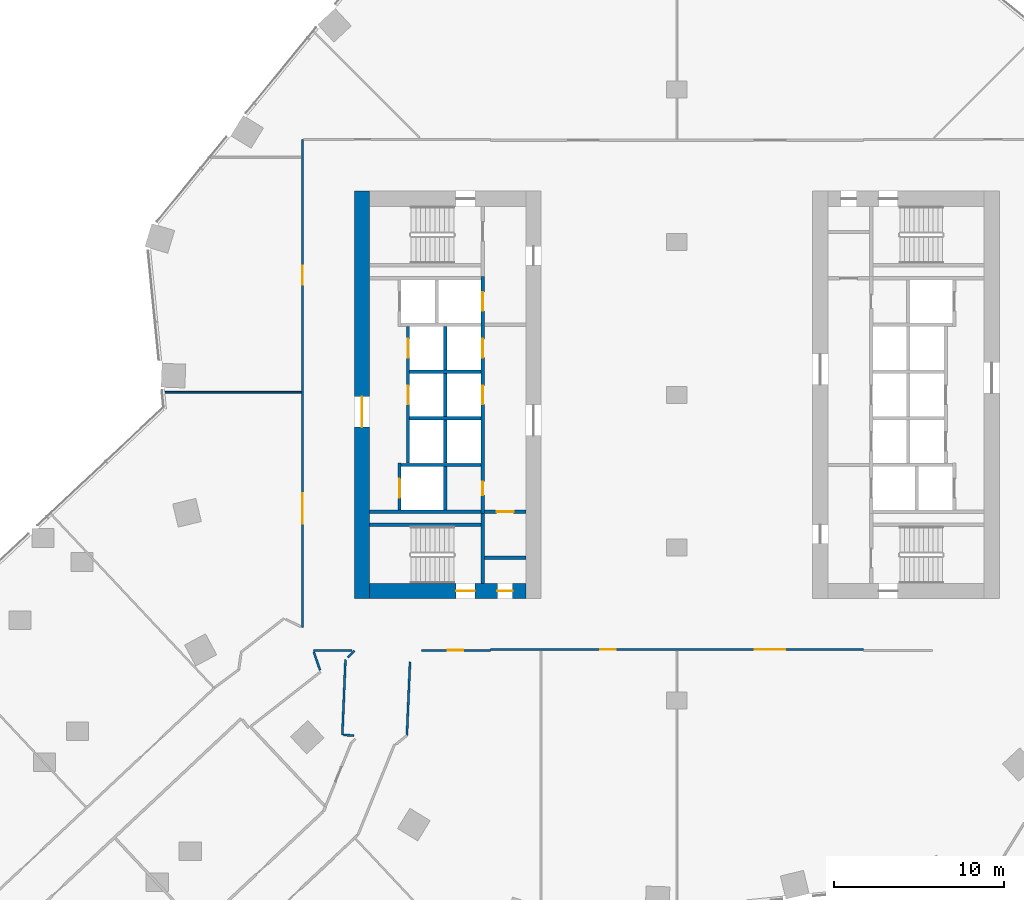
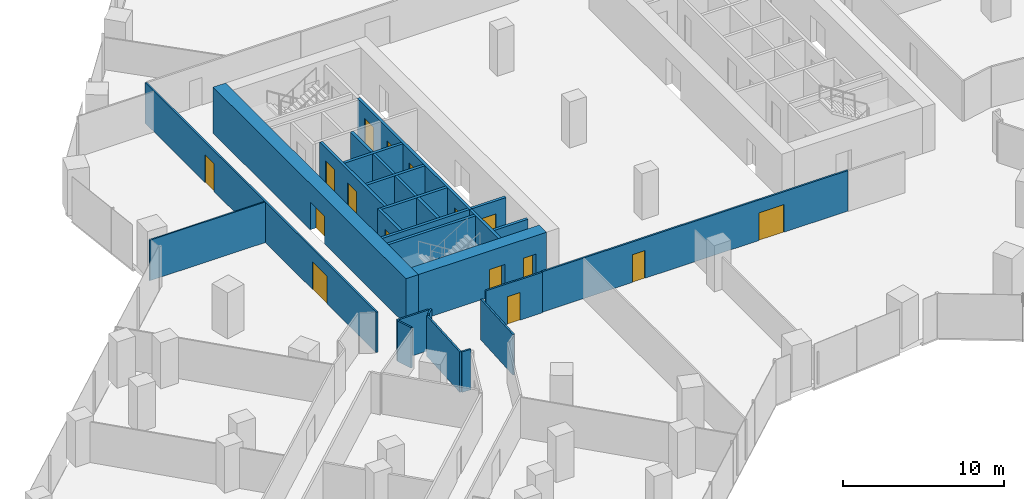
# One storey, part 28 of 33: 27 walls, 16 doors, 16 openings.
"""IFC4 building model written with IfcOpenShell, lengths in metres."""

from ifc_helpers import new_model, si_unit, direction, frame, frame_2d, origin, place, context, subcontext, project, spatial, rectangle, extrude, material, layer, layer_set, type_object, element, fill, save


model = new_model("IFC4")

# Units and contexts
model_context = context("Model", 3, precision=1e-05, world=origin(), true_north=direction((0.0, 1.0)))
body_context = subcontext(model_context, "Body", "Model", "MODEL_VIEW")
ifc_project = project(units=[si_unit("LENGTHUNIT", "METRE"), si_unit("AREAUNIT", "SQUARE_METRE"), si_unit("VOLUMEUNIT", "CUBIC_METRE"), si_unit("PLANEANGLEUNIT", "RADIAN"), si_unit("MASSUNIT", "GRAM", prefix="KILO")], contexts=[model_context])

# Site, building, storey
site_placement = place(None, origin())
site = spatial("IfcSite", under=ifc_project, at=site_placement, CompositionType="ELEMENT")
building_placement = place(site_placement, origin())
building = spatial("IfcBuilding", under=site, at=building_placement, Name="Orlundy Tower", CompositionType="ELEMENT")
storey_placement = place(building_placement, frame((0.0, 0.0, 51.300048828125)))
storey = spatial("IfcBuildingStorey", under=building, at=storey_placement, Name="L11", CompositionType="ELEMENT", Elevation=51.300048828125)

# Wall, openings, doors
ifc_material_1 = material(Name="Concrete C80/95", Category="concrete")
ifc_layer_1 = layer(ifc_material_1, 0.89990234375)
ifc_layer_set_1 = layer_set([ifc_layer_1], Name="CORE WALL 900 C80/95")
wall_type_1 = type_object("IfcWallType", Name="CORE WALL 900 C80/95", PredefinedType="SHEAR", material=ifc_layer_set_1)
wall_1_placement = place(storey_placement, frame((-18.10009765625, -11.550048828125, 0.0), z_axis=(0.0, 0.0, 1.0), x_axis=(1.0, 0.0, 0.0)))
wall_1 = element("IfcWall", 1, at=wall_1_placement, inside=storey, type_object=wall_type_1, Name="Core wall W-S L11", PredefinedType="SHEAR", context=body_context, shape_type="SweptSolid", body=[
    extrude(rectangle(XDim=9.2001953125, YDim=0.89990234375, at=frame_2d((4.60009765625, 0.0))), origin(), (0.0, 0.0, 1.0), 3.5),
])
opening_1_placement = place(wall_1_placement, frame((5.10009765625, 0.0, 0.0)))
opening_1 = element("IfcOpeningElement", 2, at=opening_1_placement, cuts=wall_1, Name="Opening 10013", PredefinedType="OPENING", context=body_context, shape_type="SweptSolid", body=[
    extrude(rectangle(XDim=1.10009765625, YDim=2.10009765625, at=frame_2d((0.550048828125, 1.050048828125))), frame((0.0, 0.4599609375, 0.0), z_axis=(0.0, -1.0, 0.0), x_axis=(1.0, 0.0, 0.0)), (0.0, 0.0, 1.0), 0.919921875),
])
opening_2_placement = place(wall_1_placement, frame((7.530029296875, 0.0, 0.0)))
opening_2 = element("IfcOpeningElement", 3, at=opening_2_placement, cuts=wall_1, Name="Opening 10015", PredefinedType="OPENING", context=body_context, shape_type="SweptSolid", body=[
    extrude(rectangle(XDim=0.89990234375, YDim=2.10009765625, at=frame_2d((0.449951171875, 1.050048828125))), frame((0.0, 0.4599609375, 0.0), z_axis=(0.0, -1.0, 0.0), x_axis=(1.0, 0.0, 0.0)), (0.0, 0.0, 1.0), 0.919921875),
])
ifc_material_2 = material(Name="Timber door set", Category="wood")
door_type_1 = type_object("IfcDoorType", Name="Room Door 900x2100", OperationType="SINGLE_SWING_LEFT", PredefinedType="DOOR", material=ifc_material_2)
door_1_placement = place(opening_2_placement, origin())
door_1 = element("IfcDoor", 4, at=door_1_placement, inside=storey, type_object=door_type_1, Name="Store door 10015", OperationType="SINGLE_SWING_RIGHT", OverallHeight=2.10009765625, OverallWidth=0.89990234375, PredefinedType="DOOR", context=body_context, shape_type="SweptSolid", body=[
    extrude(rectangle(XDim=0.89990234375, YDim=2.10009765625, at=frame_2d((0.449951171875, 1.050048828125))), frame((0.0, 0.02490234375, 0.0), z_axis=(0.0, -1.0, 0.0), x_axis=(1.0, 0.0, 0.0)), (0.0, 0.0, 1.0), 0.050048828125),
])
fill(opening_2, door_1)
ifc_material_3 = material(Name="Steel door set", Category="steel")
door_type_2 = type_object("IfcDoorType", Name="Stair Door 1100x2100", OperationType="SINGLE_SWING_LEFT", PredefinedType="DOOR", material=ifc_material_3)
door_2_placement = place(opening_1_placement, origin())
door_2 = element("IfcDoor", 5, at=door_2_placement, inside=storey, type_object=door_type_2, Name="Stair door 10013", OperationType="SINGLE_SWING_RIGHT", OverallHeight=2.10009765625, OverallWidth=1.10009765625, PredefinedType="DOOR", context=body_context, shape_type="SweptSolid", body=[
    extrude(rectangle(XDim=1.10009765625, YDim=2.10009765625, at=frame_2d((0.550048828125, 1.050048828125))), frame((0.0, 0.02490234375, 0.0), z_axis=(0.0, -1.0, 0.0), x_axis=(1.0, 0.0, 0.0)), (0.0, 0.0, 1.0), 0.050048828125),
])
fill(opening_1, door_2)

# Wall, opening, door
wall_2_placement = place(storey_placement, frame((-18.550048828125, -12.0, 0.0), z_axis=(0.0, 0.0, 1.0), x_axis=(0.0, 1.0, 0.0)))
wall_2 = element("IfcWall", 6, at=wall_2_placement, inside=storey, type_object=wall_type_1, Name="Core wall W-W L11", PredefinedType="SHEAR", context=body_context, shape_type="SweptSolid", body=[
    extrude(rectangle(XDim=24.0, YDim=0.89990234375, at=frame_2d((12.0, 0.0))), origin(), (0.0, 0.0, 1.0), 3.5),
])
opening_3_placement = place(wall_2_placement, frame((10.10009765625, 0.0, 0.0)))
opening_3 = element("IfcOpeningElement", 7, at=opening_3_placement, cuts=wall_2, Name="Opening 10010", PredefinedType="OPENING", context=body_context, shape_type="SweptSolid", body=[
    extrude(rectangle(XDim=1.800048828125, YDim=2.10009765625, at=frame_2d((0.89990234375, 1.050048828125))), frame((0.0, 0.4599609375, 0.0), z_axis=(0.0, -1.0, 0.0), x_axis=(1.0, 0.0, 0.0)), (0.0, 0.0, 1.0), 0.919921875),
])
ifc_material_4 = material(Name="Timber door set", Category="wood")
door_type_3 = type_object("IfcDoorType", Name="Lobby Door 1800x2100", OperationType="DOUBLE_DOOR_DOUBLE_SWING", PredefinedType="DOOR", material=ifc_material_4)
door_3_placement = place(opening_3_placement, origin())
door_3 = element("IfcDoor", 8, at=door_3_placement, inside=storey, type_object=door_type_3, Name="Lift lobby door 10010", OperationType="SINGLE_SWING_LEFT", OverallHeight=2.10009765625, OverallWidth=1.800048828125, PredefinedType="DOOR", context=body_context, shape_type="SweptSolid", body=[
    extrude(rectangle(XDim=1.800048828125, YDim=2.10009765625, at=frame_2d((0.89990234375, 1.050048828125))), frame((0.0, 0.02490234375, 0.0), z_axis=(0.0, -1.0, 0.0), x_axis=(1.0, 0.0, 0.0)), (0.0, 0.0, 1.0), 0.050048828125),
])
fill(opening_3, door_3)

# Walls
ifc_material_5 = material(Name="Gypsum board partition")
ifc_layer_2 = layer(ifc_material_5, 0.10009765625)
ifc_layer_set_2 = layer_set([ifc_layer_2], Name="Floor partition 100")
wall_type_2 = type_object("IfcWallType", Name="Floor partition 100", PredefinedType="PARTITIONING", material=ifc_layer_set_2)
wall_3_placement = place(storey_placement, frame((-30.4140625, 0.152099609375, 0.0), z_axis=(0.0, 0.0, 1.0), x_axis=(1.0, 0.0, 0.0)))
element("IfcWall", 9, at=wall_3_placement, inside=storey, type_object=wall_type_2, Name="wall-int-L11-035", PredefinedType="PARTITIONING", context=body_context, shape_type="SweptSolid", body=[
    extrude(rectangle(XDim=8.301025390625, YDim=0.10009765625, at=frame_2d((4.150390625, 0.0))), origin(), (0.0, 0.0, 1.0), 3.079833984375),
])
ifc_material_6 = material(Name="Gypsum board partition, double layer")
ifc_layer_3 = layer(ifc_material_6, 0.125)
ifc_layer_set_3 = layer_set([ifc_layer_3], Name="Floor partition 125")
wall_type_3 = type_object("IfcWallType", Name="Floor partition 125", PredefinedType="PARTITIONING", material=ifc_layer_set_3)
wall_4_placement = place(storey_placement, frame((-21.387939453125, -15.14306640625, 0.0), z_axis=(0.0, 0.0, 1.0), x_axis=(0.324857441557, -0.945762994976, 0.0)))
element("IfcWall", 10, at=wall_4_placement, inside=storey, type_object=wall_type_3, Name="wall-int-L11-001", PredefinedType="PARTITIONING", context=body_context, shape_type="SweptSolid", body=[
    extrude(rectangle(XDim=1.135498046875, YDim=0.125, at=frame_2d((0.56787109375, 0.0))), origin(), (0.0, 0.0, 1.0), 3.079833984375),
])
wall_5_placement = place(storey_placement, frame((-19.64404296875, -20.034912109375, 0.0), z_axis=(0.0, 0.0, 1.0), x_axis=(0.999093412753, -0.04257173467, 0.0)))
element("IfcWall", 11, at=wall_5_placement, inside=storey, type_object=wall_type_3, Name="wall-int-L11-029", PredefinedType="PARTITIONING", context=body_context, shape_type="SweptSolid", body=[
    extrude(rectangle(XDim=0.636474609375, YDim=0.125, at=frame_2d((0.318359375, 0.0))), origin(), (0.0, 0.0, 1.0), 3.079833984375),
])
wall_6_placement = place(storey_placement, frame((-21.41796875, -15.051025390625, 0.0), z_axis=(0.0, 0.0, 1.0), x_axis=(1.0, 0.0, 0.0)))
element("IfcWall", 12, at=wall_6_placement, inside=storey, type_object=wall_type_3, Name="wall-int-L11-030", PredefinedType="PARTITIONING", context=body_context, shape_type="SweptSolid", body=[
    extrude(rectangle(XDim=2.29296875, YDim=0.125, at=frame_2d((1.146484375, 0.0))), origin(), (0.0, 0.0, 1.0), 3.079833984375),
])

# Wall, opening, door
wall_7_placement = place(storey_placement, frame((-10.990966796875, -15.051025390625, 0.0), z_axis=(0.0, 0.0, 1.0), x_axis=(-1.0, 0.0, 0.0)))
wall_7 = element("IfcWall", 13, at=wall_7_placement, inside=storey, type_object=wall_type_3, Name="wall-int-L11-031", PredefinedType="PARTITIONING", context=body_context, shape_type="SweptSolid", body=[
    extrude(rectangle(XDim=4.06005859375, YDim=0.125, at=frame_2d((2.030029296875, 0.0))), origin(), (0.0, 0.0, 1.0), 3.079833984375),
])
opening_4_placement = place(wall_7_placement, frame((1.60009765625, 0.0, 0.0)))
opening_4 = element("IfcOpeningElement", 14, at=opening_4_placement, cuts=wall_7, Name="Opening 10122", PredefinedType="OPENING", context=body_context, shape_type="SweptSolid", body=[
    extrude(rectangle(XDim=0.89990234375, YDim=2.10009765625, at=frame_2d((0.449951171875, 1.050048828125))), frame((0.0, 0.072509765625, 0.0), z_axis=(0.0, -1.0, 0.0), x_axis=(1.0, 0.0, 0.0)), (0.0, 0.0, 1.0), 0.14501953125),
])
ifc_material_7 = material(Name="Timber door leaf", Category="wood")
door_type_4 = type_object("IfcDoorType", Name="Floor door single 900 FD30S", OperationType="NOTDEFINED", PredefinedType="DOOR", material=ifc_material_7)
door_4_placement = place(opening_4_placement, origin())
door_4 = element("IfcDoor", 15, at=door_4_placement, inside=storey, type_object=door_type_4, Name="Door 10122", OperationType="SINGLE_SWING_RIGHT", OverallHeight=2.10009765625, OverallWidth=0.89990234375, PredefinedType="DOOR", context=body_context, shape_type="SweptSolid", body=[
    extrude(rectangle(XDim=0.89990234375, YDim=2.10009765625, at=frame_2d((0.449951171875, 1.050048828125))), frame((0.0, 0.02490234375, 0.0), z_axis=(0.0, -1.0, 0.0), x_axis=(1.0, 0.0, 0.0)), (0.0, 0.0, 1.0), 0.050048828125),
])
fill(opening_4, door_4)

# Wall, openings, doors
wall_8_placement = place(storey_placement, frame((10.989990234375, -15.0009765625, 0.0), z_axis=(0.0, 0.0, 1.0), x_axis=(-1.0, 0.0, 0.0)))
wall_8 = element("IfcWall", 16, at=wall_8_placement, inside=storey, type_object=wall_type_3, Name="wall-int-L11-034", PredefinedType="PARTITIONING", context=body_context, shape_type="SweptSolid", body=[
    extrude(rectangle(XDim=21.97998046875, YDim=0.125, at=frame_2d((10.989990234375, 0.0))), origin(), (0.0, 0.0, 1.0), 3.079833984375),
])
opening_5_placement = place(wall_8_placement, frame((14.590087890625, 0.0, 0.0)))
opening_5 = element("IfcOpeningElement", 17, at=opening_5_placement, cuts=wall_8, Name="Opening 10123", PredefinedType="OPENING", context=body_context, shape_type="SweptSolid", body=[
    extrude(rectangle(XDim=0.89990234375, YDim=2.10009765625, at=frame_2d((0.449951171875, 1.050048828125))), frame((0.0, 0.072509765625, 0.0), z_axis=(0.0, -1.0, 0.0), x_axis=(1.0, 0.0, 0.0)), (0.0, 0.0, 1.0), 0.14501953125),
])
opening_6_placement = place(wall_8_placement, frame((4.60009765625, 0.0, 0.0)))
opening_6 = element("IfcOpeningElement", 18, at=opening_6_placement, cuts=wall_8, Name="Opening 10124", PredefinedType="OPENING", context=body_context, shape_type="SweptSolid", body=[
    extrude(rectangle(XDim=1.800048828125, YDim=2.10009765625, at=frame_2d((0.89990234375, 1.050048828125))), frame((0.0, 0.072509765625, 0.0), z_axis=(0.0, -1.0, 0.0), x_axis=(1.0, 0.0, 0.0)), (0.0, 0.0, 1.0), 0.14501953125),
])
ifc_material_8 = material(Name="Timber door leaf", Category="wood")
door_type_5 = type_object("IfcDoorType", Name="Floor door double 1800 FD30S", OperationType="NOTDEFINED", PredefinedType="DOOR", material=ifc_material_8)
door_5_placement = place(opening_6_placement, origin())
door_5 = element("IfcDoor", 19, at=door_5_placement, inside=storey, type_object=door_type_5, Name="Door 10124", OperationType="DOUBLE_DOOR_SINGLE_SWING", OverallHeight=2.10009765625, OverallWidth=1.800048828125, PredefinedType="DOOR", context=body_context, shape_type="SweptSolid", body=[
    extrude(rectangle(XDim=1.800048828125, YDim=2.10009765625, at=frame_2d((0.89990234375, 1.050048828125))), frame((0.0, 0.02490234375, 0.0), z_axis=(0.0, -1.0, 0.0), x_axis=(1.0, 0.0, 0.0)), (0.0, 0.0, 1.0), 0.050048828125),
])
fill(opening_6, door_5)
door_6_placement = place(opening_5_placement, origin())
door_6 = element("IfcDoor", 20, at=door_6_placement, inside=storey, type_object=door_type_4, Name="Door 10123", OperationType="SINGLE_SWING_RIGHT", OverallHeight=2.10009765625, OverallWidth=0.89990234375, PredefinedType="DOOR", context=body_context, shape_type="SweptSolid", body=[
    extrude(rectangle(XDim=0.89990234375, YDim=2.10009765625, at=frame_2d((0.449951171875, 1.050048828125))), frame((0.0, 0.02490234375, 0.0), z_axis=(0.0, -1.0, 0.0), x_axis=(1.0, 0.0, 0.0)), (0.0, 0.0, 1.0), 0.050048828125),
])
fill(opening_5, door_6)

# Walls
wall_9_placement = place(storey_placement, frame((-19.385009765625, -15.4599609375, 0.0), z_axis=(0.0, 0.0, 1.0), x_axis=(0.72214184162, 0.691745011245, 0.0)))
element("IfcWall", 21, at=wall_9_placement, inside=storey, type_object=wall_type_3, Name="wall-int-L11-055", PredefinedType="PARTITIONING", context=body_context, shape_type="SweptSolid", body=[
    extrude(rectangle(XDim=0.562255859375, YDim=0.125, at=frame_2d((0.28125, 0.0))), origin(), (0.0, 0.0, 1.0), 3.079833984375),
])
wall_10_placement = place(storey_placement, frame((-15.904052734375, -20.056884765625, 0.0), z_axis=(0.0, 0.0, 1.0), x_axis=(0.042397681999, 0.999100814013, 0.0)))
element("IfcWall", 22, at=wall_10_placement, inside=storey, type_object=wall_type_3, Name="wall-int-L11-074", PredefinedType="PARTITIONING", context=body_context, shape_type="SweptSolid", body=[
    extrude(rectangle(XDim=4.341796875, YDim=0.125, at=frame_2d((2.1708984375, 0.0))), origin(), (0.0, 0.0, 1.0), 3.079833984375),
])
wall_11_placement = place(storey_placement, frame((-19.70703125, -20.031005859375, 0.0), z_axis=(0.0, 0.0, 1.0), x_axis=(0.04150005125, 0.999138501784, 0.0)))
element("IfcWall", 23, at=wall_11_placement, inside=storey, type_object=wall_type_3, Name="wall-int-L11-075", PredefinedType="PARTITIONING", context=body_context, shape_type="SweptSolid", body=[
    extrude(rectangle(XDim=4.435791015625, YDim=0.125, at=frame_2d((2.2177734375, 0.0))), origin(), (0.0, 0.0, 1.0), 3.079833984375),
])

# Wall, openings, doors
wall_12_placement = place(storey_placement, frame((-22.050048828125, -13.696044921875, 0.0), z_axis=(0.0, 0.0, 1.0), x_axis=(0.0, 1.0, 0.0)))
wall_12 = element("IfcWall", 24, at=wall_12_placement, inside=storey, type_object=wall_type_3, Name="wall-int-L11-081", PredefinedType="PARTITIONING", context=body_context, shape_type="SweptSolid", body=[
    extrude(rectangle(XDim=28.7470703125, YDim=0.125, at=frame_2d((14.37353515625, 0.0))), origin(), (0.0, 0.0, 1.0), 3.079833984375),
])
opening_7_placement = place(wall_12_placement, frame((6.10009765625, 0.0, 0.0)))
opening_7 = element("IfcOpeningElement", 25, at=opening_7_placement, cuts=wall_12, Name="Opening 10120", PredefinedType="OPENING", context=body_context, shape_type="SweptSolid", body=[
    extrude(rectangle(XDim=1.800048828125, YDim=2.10009765625, at=frame_2d((0.89990234375, 1.050048828125))), frame((0.0, 0.072509765625, 0.0), z_axis=(0.0, -1.0, 0.0), x_axis=(1.0, 0.0, 0.0)), (0.0, 0.0, 1.0), 0.14501953125),
])
opening_8_placement = place(wall_12_placement, frame((20.197998046875, 0.0, 0.0)))
opening_8 = element("IfcOpeningElement", 26, at=opening_8_placement, cuts=wall_12, Name="Opening 10132", PredefinedType="OPENING", context=body_context, shape_type="SweptSolid", body=[
    extrude(rectangle(XDim=1.10009765625, YDim=2.10009765625, at=frame_2d((0.550048828125, 1.050048828125))), frame((0.0, 0.072509765625, 0.0), z_axis=(0.0, -1.0, 0.0), x_axis=(1.0, 0.0, 0.0)), (0.0, 0.0, 1.0), 0.14501953125),
])
door_7_placement = place(opening_7_placement, origin())
door_7 = element("IfcDoor", 27, at=door_7_placement, inside=storey, type_object=door_type_5, Name="Door 10120", OperationType="DOUBLE_DOOR_SINGLE_SWING", OverallHeight=2.10009765625, OverallWidth=1.800048828125, PredefinedType="DOOR", context=body_context, shape_type="SweptSolid", body=[
    extrude(rectangle(XDim=1.800048828125, YDim=2.10009765625, at=frame_2d((0.89990234375, 1.050048828125))), frame((0.0, 0.02490234375, 0.0), z_axis=(0.0, -1.0, 0.0), x_axis=(1.0, 0.0, 0.0)), (0.0, 0.0, 1.0), 0.050048828125),
])
fill(opening_7, door_7)
ifc_material_9 = material(Name="Timber door leaf", Category="wood")
door_type_6 = type_object("IfcDoorType", Name="Floor door xwide 1100 FD30S", OperationType="NOTDEFINED", PredefinedType="DOOR", material=ifc_material_9)
door_8_placement = place(opening_8_placement, origin())
door_8 = element("IfcDoor", 28, at=door_8_placement, inside=storey, type_object=door_type_6, Name="Door 10132", OperationType="SINGLE_SWING_RIGHT", OverallHeight=2.10009765625, OverallWidth=1.10009765625, PredefinedType="DOOR", context=body_context, shape_type="SweptSolid", body=[
    extrude(rectangle(XDim=1.10009765625, YDim=2.10009765625, at=frame_2d((0.550048828125, 1.050048828125))), frame((0.0, 0.02490234375, 0.0), z_axis=(0.0, -1.0, 0.0), x_axis=(1.0, 0.0, 0.0)), (0.0, 0.0, 1.0), 0.050048828125),
])
fill(opening_8, door_8)

# Walls
ifc_material_10 = material(Name="Concrete C40/50", Category="concrete")
ifc_layer_4 = layer(ifc_material_10, 0.199951171875)
ifc_layer_set_4 = layer_set([ifc_layer_4], Name="Load-bearing Shaft Wall 200")
wall_type_4 = type_object("IfcWallType", Name="Load-bearing Shaft Wall 200", PredefinedType="SOLIDWALL", material=ifc_layer_set_4)
wall_13_placement = place(storey_placement, frame((-11.43994140625, -11.10009765625, 0.0), z_axis=(0.0, 0.0, 1.0), x_axis=(0.0, 1.0, 0.0)))
element("IfcWall", 29, at=wall_13_placement, inside=storey, type_object=wall_type_4, Name="Shaft wall W10-stair-end-s", PredefinedType="SOLIDWALL", context=body_context, shape_type="SweptSolid", body=[
    extrude(rectangle(XDim=4.125, YDim=0.199951171875, at=frame_2d((2.0625, 0.0))), origin(), (0.0, 0.0, 1.0), 3.08984375),
])
wall_14_placement = place(storey_placement, frame((-11.5400390625, -7.64990234375, 0.0), z_axis=(0.0, 0.0, 1.0), x_axis=(-1.0, 0.0, 0.0)))
element("IfcWall", 30, at=wall_14_placement, inside=storey, type_object=wall_type_4, Name="Shaft wall W10-stair-side-s", PredefinedType="SOLIDWALL", context=body_context, shape_type="SweptSolid", body=[
    extrude(rectangle(XDim=6.56005859375, YDim=0.199951171875, at=frame_2d((3.280029296875, 0.0))), origin(), (0.0, 0.0, 1.0), 3.08984375),
])

# Wall, opening, door
ifc_material_11 = material(Name="Gypsum board partition on steel studs", Category="steel")
ifc_layer_5 = layer(ifc_material_11, 0.199951171875)
ifc_layer_set_5 = layer_set([ifc_layer_5], Name="Partition 200")
wall_type_5 = type_object("IfcWallType", Name="Partition 200", PredefinedType="PARTITIONING", material=ifc_layer_set_5)
wall_15_placement = place(storey_placement, frame((-8.89990234375, -6.875, 0.0), z_axis=(0.0, 0.0, 1.0), x_axis=(-1.0, 0.0, 0.0)))
wall_15 = element("IfcWall", 31, at=wall_15_placement, inside=storey, type_object=wall_type_5, Name="Partition wall W10-end-s", PredefinedType="PARTITIONING", context=body_context, shape_type="SweptSolid", body=[
    extrude(rectangle(XDim=2.440185546875, YDim=0.199951171875, at=frame_2d((1.22021484375, 0.0))), origin(), (0.0, 0.0, 1.0), 3.08984375),
])
opening_9_placement = place(wall_15_placement, frame((0.719970703125, 0.0, 0.0)))
opening_9 = element("IfcOpeningElement", 32, at=opening_9_placement, cuts=wall_15, Name="Opening 10016", PredefinedType="OPENING", context=body_context, shape_type="SweptSolid", body=[
    extrude(rectangle(XDim=1.0, YDim=2.10009765625, at=frame_2d((0.5, 1.050048828125))), frame((0.0, 0.110107421875, 0.0), z_axis=(0.0, -1.0, 0.0), x_axis=(1.0, 0.0, 0.0)), (0.0, 0.0, 1.0), 0.22021484375),
])
ifc_material_12 = material(Name="Timber door set", Category="wood")
door_type_7 = type_object("IfcDoorType", Name="Accessible Door 1000x2100", OperationType="SINGLE_SWING_LEFT", PredefinedType="DOOR", material=ifc_material_12)
door_9_placement = place(opening_9_placement, origin())
door_9 = element("IfcDoor", 33, at=door_9_placement, inside=storey, type_object=door_type_7, Name="Accessible WC door 10016", OperationType="SINGLE_SWING_RIGHT", OverallHeight=2.10009765625, OverallWidth=1.0, PredefinedType="DOOR", context=body_context, shape_type="SweptSolid", body=[
    extrude(rectangle(XDim=1.0, YDim=2.10009765625, at=frame_2d((0.5, 1.050048828125))), frame((0.0, 0.02490234375, 0.0), z_axis=(0.0, -1.0, 0.0), x_axis=(1.0, 0.0, 0.0)), (0.0, 0.0, 1.0), 0.050048828125),
])
fill(opening_9, door_9)

# Walls
wall_16_placement = place(storey_placement, frame((-8.89990234375, -9.60009765625, 0.0), z_axis=(0.0, 0.0, 1.0), x_axis=(-1.0, 0.0, 0.0)))
element("IfcWall", 34, at=wall_16_placement, inside=storey, type_object=wall_type_5, Name="Partition wall W10-room-s0", PredefinedType="PARTITIONING", context=body_context, shape_type="SweptSolid", body=[
    extrude(rectangle(XDim=2.440185546875, YDim=0.199951171875, at=frame_2d((1.22021484375, 0.0))), origin(), (0.0, 0.0, 1.0), 3.08984375),
])
ifc_material_13 = material(Name="Fire-rated blockwork shaft wall", Category="masonry")
ifc_layer_6 = layer(ifc_material_13, 0.199951171875)
ifc_layer_set_6 = layer_set([ifc_layer_6], Name="Shaft Wall 200")
wall_type_6 = type_object("IfcWallType", Name="Shaft Wall 200", PredefinedType="SOLIDWALL", material=ifc_layer_set_6)
wall_17_placement = place(storey_placement, frame((-11.5400390625, -6.875, 0.0), z_axis=(0.0, 0.0, 1.0), x_axis=(-1.0, 0.0, 0.0)))
element("IfcWall", 35, at=wall_17_placement, inside=storey, type_object=wall_type_6, Name="Shaft wall W10-zone-s", PredefinedType="SOLIDWALL", context=body_context, shape_type="SweptSolid", body=[
    extrude(rectangle(XDim=6.56005859375, YDim=0.199951171875, at=frame_2d((3.280029296875, 0.0))), origin(), (0.0, 0.0, 1.0), 3.08984375),
])
wall_18_placement = place(storey_placement, frame((-11.5400390625, -4.125, 0.0), z_axis=(0.0, 0.0, 1.0), x_axis=(-1.0, 0.0, 0.0)))
element("IfcWall", 36, at=wall_18_placement, inside=storey, type_object=wall_type_6, Name="Shaft wall W10-cross-4.125", PredefinedType="SOLIDWALL", context=body_context, shape_type="SweptSolid", body=[
    extrude(rectangle(XDim=4.699951171875, YDim=0.199951171875, at=frame_2d((2.35009765625, 0.0))), origin(), (0.0, 0.0, 1.0), 3.08984375),
])
for number, where, z_axis, x_axis, name in (
    (37, (-11.5400390625, -1.375, 0.0), (0.0, 0.0, 1.0), (-1.0, 0.0, 0.0), "Shaft wall W10-cross-1.375"),
    (38, (-11.5400390625, 1.375, 0.0), (0.0, 0.0, 1.0), (-1.0, 0.0, 0.0), "Shaft wall W10-cross+1.375"),
):
    element("IfcWall", number, at=place(storey_placement, frame(where, z_axis=z_axis, x_axis=x_axis)), inside=storey, type_object=wall_type_6, Name=name, PredefinedType="SOLIDWALL", context=body_context, shape_type="SweptSolid", body=[
        extrude(rectangle(XDim=4.199951171875, YDim=0.199951171875, at=frame_2d((2.10009765625, 0.0))), origin(), (0.0, 0.0, 1.0), 3.08984375),
    ])

# Wall, openings, doors
wall_19_placement = place(storey_placement, frame((-11.43994140625, -6.97509765625, 0.0), z_axis=(0.0, 0.0, 1.0), x_axis=(0.0, 1.0, 0.0)))
wall_19 = element("IfcWall", 39, at=wall_19_placement, inside=storey, type_object=wall_type_6, Name="Shaft wall W10-front-h", PredefinedType="SOLIDWALL", context=body_context, shape_type="SweptSolid", body=[
    extrude(rectangle(XDim=13.9501953125, YDim=0.199951171875, at=frame_2d((6.97509765625, 0.0))), origin(), (0.0, 0.0, 1.0), 3.08984375),
])
opening_10_placement = place(wall_19_placement, frame((6.425048828125, 0.0, 0.0)))
opening_10 = element("IfcOpeningElement", 40, at=opening_10_placement, cuts=wall_19, Name="Opening 10002", PredefinedType="OPENING", context=body_context, shape_type="SweptSolid", body=[
    extrude(rectangle(XDim=1.10009765625, YDim=2.10009765625, at=frame_2d((0.550048828125, 1.050048828125))), frame((0.0, 0.110107421875, 0.0), z_axis=(0.0, -1.0, 0.0), x_axis=(1.0, 0.0, 0.0)), (0.0, 0.0, 1.0), 0.22021484375),
])
opening_11_placement = place(wall_19_placement, frame((9.175048828125, 0.0, 0.0)))
opening_11 = element("IfcOpeningElement", 41, at=opening_11_placement, cuts=wall_19, Name="Opening 10004", PredefinedType="OPENING", context=body_context, shape_type="SweptSolid", body=[
    extrude(rectangle(XDim=1.10009765625, YDim=2.10009765625, at=frame_2d((0.550048828125, 1.050048828125))), frame((0.0, 0.110107421875, 0.0), z_axis=(0.0, -1.0, 0.0), x_axis=(1.0, 0.0, 0.0)), (0.0, 0.0, 1.0), 0.22021484375),
])
opening_12_placement = place(wall_19_placement, frame((11.925048828125, 0.0, 0.0)))
opening_12 = element("IfcOpeningElement", 42, at=opening_12_placement, cuts=wall_19, Name="Opening 10006", PredefinedType="OPENING", context=body_context, shape_type="SweptSolid", body=[
    extrude(rectangle(XDim=1.10009765625, YDim=2.10009765625, at=frame_2d((0.550048828125, 1.050048828125))), frame((0.0, 0.110107421875, 0.0), z_axis=(0.0, -1.0, 0.0), x_axis=(1.0, 0.0, 0.0)), (0.0, 0.0, 1.0), 0.22021484375),
])
opening_13_placement = place(wall_19_placement, frame((1.074951171875, 0.0, 0.0)))
opening_13 = element("IfcOpeningElement", 43, at=opening_13_placement, cuts=wall_19, Name="Opening 10008", PredefinedType="OPENING", context=body_context, shape_type="SweptSolid", body=[
    extrude(rectangle(XDim=0.800048828125, YDim=2.10009765625, at=frame_2d((0.39990234375, 1.050048828125))), frame((0.0, 0.110107421875, 0.0), z_axis=(0.0, -1.0, 0.0), x_axis=(1.0, 0.0, 0.0)), (0.0, 0.0, 1.0), 0.22021484375),
])
ifc_material_14 = material(Name="Steel door set", Category="steel")
door_type_8 = type_object("IfcDoorType", Name="Landing Door 1100x2100", OperationType="DOUBLE_DOOR_SLIDING", PredefinedType="DOOR", material=ifc_material_14)
door_10_placement = place(opening_10_placement, origin())
door_10 = element("IfcDoor", 44, at=door_10_placement, inside=storey, type_object=door_type_8, Name="Lift landing door LP-05 10002", OperationType="DOUBLE_DOOR_SLIDING", OverallHeight=2.10009765625, OverallWidth=1.10009765625, PredefinedType="DOOR", context=body_context, shape_type="SweptSolid", body=[
    extrude(rectangle(XDim=1.10009765625, YDim=2.10009765625, at=frame_2d((0.550048828125, 1.050048828125))), frame((0.0, 0.02490234375, 0.0), z_axis=(0.0, -1.0, 0.0), x_axis=(1.0, 0.0, 0.0)), (0.0, 0.0, 1.0), 0.050048828125),
])
fill(opening_10, door_10)
door_11_placement = place(opening_11_placement, origin())
door_11 = element("IfcDoor", 45, at=door_11_placement, inside=storey, type_object=door_type_8, Name="Lift landing door LP-02 10004", OperationType="DOUBLE_DOOR_SLIDING", OverallHeight=2.10009765625, OverallWidth=1.10009765625, PredefinedType="DOOR", context=body_context, shape_type="SweptSolid", body=[
    extrude(rectangle(XDim=1.10009765625, YDim=2.10009765625, at=frame_2d((0.550048828125, 1.050048828125))), frame((0.0, 0.02490234375, 0.0), z_axis=(0.0, -1.0, 0.0), x_axis=(1.0, 0.0, 0.0)), (0.0, 0.0, 1.0), 0.050048828125),
])
fill(opening_11, door_11)
door_12_placement = place(opening_12_placement, origin())
door_12 = element("IfcDoor", 46, at=door_12_placement, inside=storey, type_object=door_type_8, Name="Lift landing door FL1 10006", OperationType="DOUBLE_DOOR_SLIDING", OverallHeight=2.10009765625, OverallWidth=1.10009765625, PredefinedType="DOOR", context=body_context, shape_type="SweptSolid", body=[
    extrude(rectangle(XDim=1.10009765625, YDim=2.10009765625, at=frame_2d((0.550048828125, 1.050048828125))), frame((0.0, 0.02490234375, 0.0), z_axis=(0.0, -1.0, 0.0), x_axis=(1.0, 0.0, 0.0)), (0.0, 0.0, 1.0), 0.050048828125),
])
fill(opening_12, door_12)
ifc_material_15 = material(Name="Timber door set", Category="wood")
door_type_9 = type_object("IfcDoorType", Name="Riser Door 800x2100", OperationType="SINGLE_SWING_LEFT", PredefinedType="DOOR", material=ifc_material_15)
door_13_placement = place(opening_13_placement, origin())
door_13 = element("IfcDoor", 47, at=door_13_placement, inside=storey, type_object=door_type_9, Name="Pantry Store door 10008", OperationType="SINGLE_SWING_LEFT", OverallHeight=2.10009765625, OverallWidth=0.800048828125, PredefinedType="DOOR", context=body_context, shape_type="SweptSolid", body=[
    extrude(rectangle(XDim=0.800048828125, YDim=2.10009765625, at=frame_2d((0.39990234375, 1.050048828125))), frame((0.0, 0.02490234375, 0.0), z_axis=(0.0, -1.0, 0.0), x_axis=(1.0, 0.0, 0.0)), (0.0, 0.0, 1.0), 0.050048828125),
])
fill(opening_13, door_13)

# Walls
for number, where, z_axis, x_axis, name in (
    (48, (-13.639892578125, -6.77490234375, 0.0), (0.0, 0.0, 1.0), (0.0, 1.0, 0.0), "Shaft wall W10-mid-a"),
    (49, (-13.639892578125, -4.02490234375, 0.0), (0.0, 0.0, 1.0), (0.0, 1.0, 0.0), "Shaft wall W10-mid-a.1"),
    (50, (-13.639892578125, -1.27490234375, 0.0), (0.0, 0.0, 1.0), (0.0, 1.0, 0.0), "Shaft wall W10-mid-a.2"),
    (51, (-13.639892578125, 1.47509765625, 0.0), (0.0, 0.0, 1.0), (0.0, 1.0, 0.0), "Shaft wall W10-mid-a.3"),
):
    element("IfcWall", number, at=place(storey_placement, frame(where, z_axis=z_axis, x_axis=x_axis)), inside=storey, type_object=wall_type_6, Name=name, PredefinedType="SOLIDWALL", context=body_context, shape_type="SweptSolid", body=[
        extrude(rectangle(XDim=2.5498046875, YDim=0.199951171875, at=frame_2d((1.27490234375, 0.0))), origin(), (0.0, 0.0, 1.0), 3.08984375),
    ])

# Wall, opening, door
wall_20_placement = place(storey_placement, frame((-16.340087890625, -6.77490234375, 0.0), z_axis=(0.0, 0.0, 1.0), x_axis=(0.0, 1.0, 0.0)))
wall_20 = element("IfcWall", 52, at=wall_20_placement, inside=storey, type_object=wall_type_6, Name="Shaft wall W10-front-o-a", PredefinedType="SOLIDWALL", context=body_context, shape_type="SweptSolid", body=[
    extrude(rectangle(XDim=2.75, YDim=0.199951171875, at=frame_2d((1.375, 0.0))), origin(), (0.0, 0.0, 1.0), 3.08984375),
])
opening_14_placement = place(wall_20_placement, frame((0.72509765625, 0.0, 0.0)))
opening_14 = element("IfcOpeningElement", 53, at=opening_14_placement, cuts=wall_20, Name="Opening 10001", PredefinedType="OPENING", context=body_context, shape_type="SweptSolid", body=[
    extrude(rectangle(XDim=1.10009765625, YDim=2.10009765625, at=frame_2d((0.550048828125, 1.050048828125))), frame((0.0, 0.110107421875, 0.0), z_axis=(0.0, -1.0, 0.0), x_axis=(1.0, 0.0, 0.0)), (0.0, 0.0, 1.0), 0.22021484375),
])
door_14_placement = place(opening_14_placement, origin())
door_14 = element("IfcDoor", 54, at=door_14_placement, inside=storey, type_object=door_type_8, Name="Lift landing door LV-01 10001", OperationType="DOUBLE_DOOR_SLIDING", OverallHeight=2.10009765625, OverallWidth=1.10009765625, PredefinedType="DOOR", context=body_context, shape_type="SweptSolid", body=[
    extrude(rectangle(XDim=1.10009765625, YDim=2.10009765625, at=frame_2d((0.550048828125, 1.050048828125))), frame((0.0, 0.02490234375, 0.0), z_axis=(0.0, -1.0, 0.0), x_axis=(1.0, 0.0, 0.0)), (0.0, 0.0, 1.0), 0.050048828125),
])
fill(opening_14, door_14)

# Wall, openings, doors
wall_21_placement = place(storey_placement, frame((-15.840087890625, -4.02490234375, 0.0), z_axis=(0.0, 0.0, 1.0), x_axis=(0.0, 1.0, 0.0)))
wall_21 = element("IfcWall", 55, at=wall_21_placement, inside=storey, type_object=wall_type_6, Name="Shaft wall W10-front-o-b", PredefinedType="SOLIDWALL", context=body_context, shape_type="SweptSolid", body=[
    extrude(rectangle(XDim=8.0498046875, YDim=0.199951171875, at=frame_2d((4.02490234375, 0.0))), origin(), (0.0, 0.0, 1.0), 3.08984375),
])
opening_15_placement = place(wall_21_placement, frame((3.47509765625, 0.0, 0.0)))
opening_15 = element("IfcOpeningElement", 56, at=opening_15_placement, cuts=wall_21, Name="Opening 10003", PredefinedType="OPENING", context=body_context, shape_type="SweptSolid", body=[
    extrude(rectangle(XDim=1.10009765625, YDim=2.10009765625, at=frame_2d((0.550048828125, 1.050048828125))), frame((0.0, 0.110107421875, 0.0), z_axis=(0.0, -1.0, 0.0), x_axis=(1.0, 0.0, 0.0)), (0.0, 0.0, 1.0), 0.22021484375),
])
opening_16_placement = place(wall_21_placement, frame((6.22509765625, 0.0, 0.0)))
opening_16 = element("IfcOpeningElement", 57, at=opening_16_placement, cuts=wall_21, Name="Opening 10005", PredefinedType="OPENING", context=body_context, shape_type="SweptSolid", body=[
    extrude(rectangle(XDim=1.10009765625, YDim=2.10009765625, at=frame_2d((0.550048828125, 1.050048828125))), frame((0.0, 0.110107421875, 0.0), z_axis=(0.0, -1.0, 0.0), x_axis=(1.0, 0.0, 0.0)), (0.0, 0.0, 1.0), 0.22021484375),
])
door_15_placement = place(opening_15_placement, origin())
door_15 = element("IfcDoor", 58, at=door_15_placement, inside=storey, type_object=door_type_8, Name="Lift landing door LP-01 10003", OperationType="DOUBLE_DOOR_SLIDING", OverallHeight=2.10009765625, OverallWidth=1.10009765625, PredefinedType="DOOR", context=body_context, shape_type="SweptSolid", body=[
    extrude(rectangle(XDim=1.10009765625, YDim=2.10009765625, at=frame_2d((0.550048828125, 1.050048828125))), frame((0.0, 0.02490234375, 0.0), z_axis=(0.0, -1.0, 0.0), x_axis=(1.0, 0.0, 0.0)), (0.0, 0.0, 1.0), 0.050048828125),
])
fill(opening_15, door_15)
door_16_placement = place(opening_16_placement, origin())
door_16 = element("IfcDoor", 59, at=door_16_placement, inside=storey, type_object=door_type_8, Name="Lift landing door LP-03 10005", OperationType="DOUBLE_DOOR_SLIDING", OverallHeight=2.10009765625, OverallWidth=1.10009765625, PredefinedType="DOOR", context=body_context, shape_type="SweptSolid", body=[
    extrude(rectangle(XDim=1.10009765625, YDim=2.10009765625, at=frame_2d((0.550048828125, 1.050048828125))), frame((0.0, 0.02490234375, 0.0), z_axis=(0.0, -1.0, 0.0), x_axis=(1.0, 0.0, 0.0)), (0.0, 0.0, 1.0), 0.050048828125),
])
fill(opening_16, door_16)

save(model, "model.ifc")
